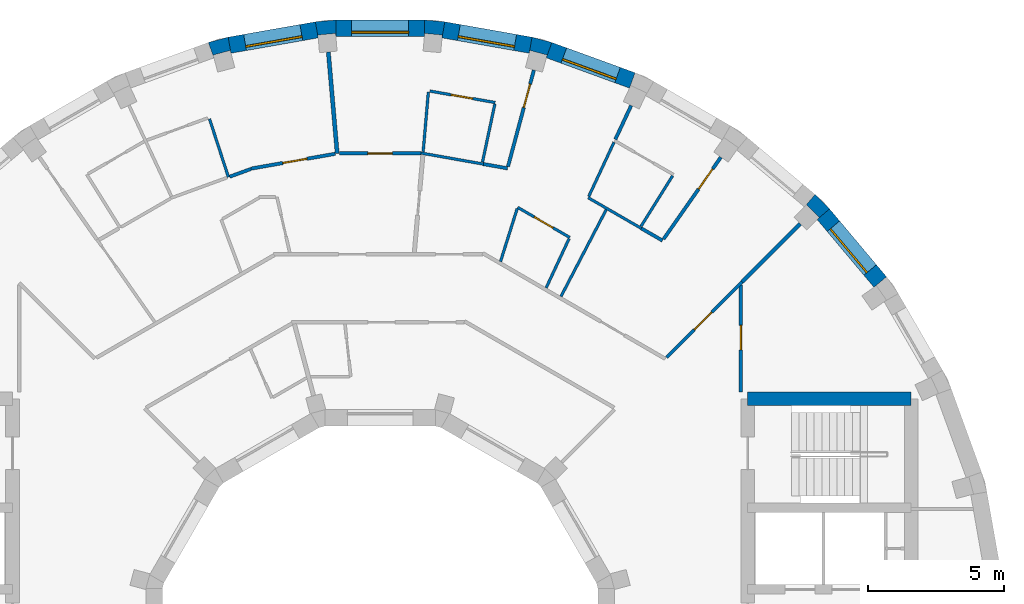
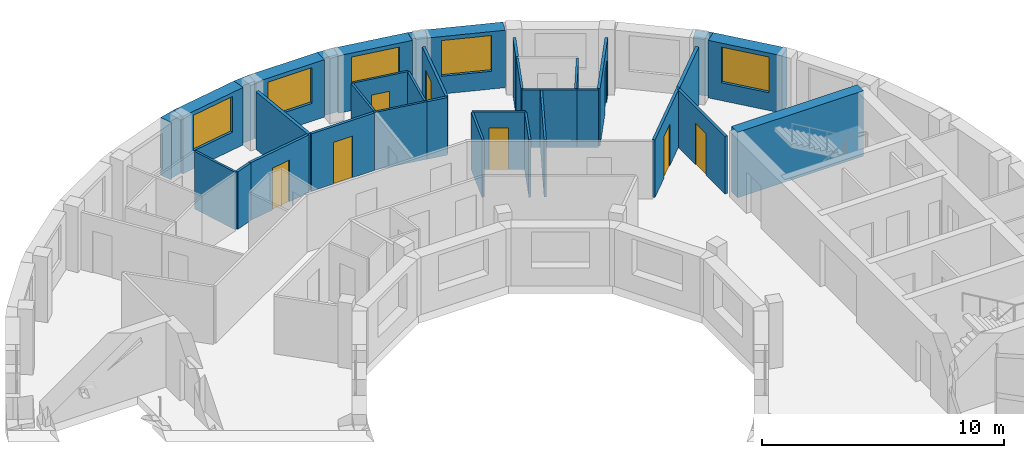
# One storey, part 10 of 12: 35 walls, 8 doors, 5 windows, 13 openings.
"""IFC4 building model written with IfcOpenShell, lengths in metres."""

from ifc_helpers import new_model, si_unit, direction, frame, frame_2d, origin, place, context, subcontext, project, spatial, polyline, rectangle, outline, extrude, material, layer, layer_set, type_object, element, fill, save


model = new_model("IFC4")

# Units and contexts
model_context = context("Model", 3, precision=1e-05, world=origin(), true_north=direction((0.0, 1.0)))
body_context = subcontext(model_context, "Body", "Model", "MODEL_VIEW")
ifc_project = project(units=[si_unit("LENGTHUNIT", "METRE"), si_unit("AREAUNIT", "SQUARE_METRE"), si_unit("VOLUMEUNIT", "CUBIC_METRE"), si_unit("PLANEANGLEUNIT", "RADIAN"), si_unit("MASSUNIT", "GRAM", prefix="KILO")], contexts=[model_context])

# Site, building, storey
site_placement = place(None, origin())
site = spatial("IfcSite", under=ifc_project, at=site_placement, CompositionType="ELEMENT")
building_placement = place(site_placement, origin())
building = spatial("IfcBuilding", under=site, at=building_placement, Name="Saqina Gate Tower", CompositionType="ELEMENT")
storey_placement = place(building_placement, frame((0.0, 0.0, 266.0)))
storey = spatial("IfcBuildingStorey", under=building, at=storey_placement, Name="L76", CompositionType="ELEMENT", Elevation=266.0)

# Walls
ifc_material_1 = material(Name="Brick masonry (buff)", Category="masonry")
wall_type_1 = type_object("IfcWallType", Name="BRICK PIER COPING BUFF", PredefinedType="SOLIDWALL", material=ifc_material_1)
wall_1_placement = place(storey_placement, origin())
element("IfcWall", 1, at=wall_1_placement, inside=storey, type_object=wall_type_1, Name="Pier cap L76 column 5", PredefinedType="SOLIDWALL", context=body_context, shape_type="SweptSolid", body=[
    extrude(outline(polyline([(15.973388671875, 16.5068359375), (15.587646484375, 16.04736328125), (15.662353515625, 16.1220703125), (16.1220703125, 15.662353515625), (16.04736328125, 15.587646484375), (16.5068359375, 15.973388671875), (15.973388671875, 16.5068359375)])), origin(), (0.0, 0.0, 1.0), 2.89990234375),
])
wall_2_placement = place(storey_placement, origin())
element("IfcWall", 2, at=wall_2_placement, inside=storey, type_object=wall_type_1, Name="Pier cap L76 column 8", PredefinedType="SOLIDWALL", context=body_context, shape_type="SweptSolid", body=[
    extrude(outline(polyline([(5.579833984375, 22.281982421875), (5.4755859375, 21.691162109375), (5.5029296875, 21.793212890625), (6.130859375, 21.625), (6.103515625, 21.52294921875), (6.30859375, 22.0869140625), (5.579833984375, 22.281982421875)])), origin(), (0.0, 0.0, 1.0), 2.89990234375),
])
wall_3_placement = place(storey_placement, origin())
element("IfcWall", 3, at=wall_3_placement, inside=storey, type_object=wall_type_1, Name="Pier cap L76 column 9", PredefinedType="SOLIDWALL", context=body_context, shape_type="SweptSolid", body=[
    extrude(outline(polyline([(2.377685546875, 22.8466796875), (1.625732421875, 22.91259765625), (1.625732421875, 22.3125), (1.635009765625, 22.417724609375), (2.28271484375, 22.361083984375), (2.2734375, 22.255859375), (2.377685546875, 22.8466796875)])), origin(), (0.0, 0.0, 1.0), 2.89990234375),
])
wall_4_placement = place(storey_placement, origin())
element("IfcWall", 4, at=wall_4_placement, inside=storey, type_object=wall_type_1, Name="Pier cap L76 column 10", PredefinedType="SOLIDWALL", context=body_context, shape_type="SweptSolid", body=[
    extrude(outline(polyline([(-1.625732421875, 22.91259765625), (-2.377685546875, 22.8466796875), (-2.2734375, 22.255859375), (-2.28271484375, 22.361083984375), (-1.635009765625, 22.417724609375), (-1.625732421875, 22.3125), (-1.625732421875, 22.91259765625)])), origin(), (0.0, 0.0, 1.0), 2.89990234375),
])
wall_5_placement = place(storey_placement, origin())
element("IfcWall", 5, at=wall_5_placement, inside=storey, type_object=wall_type_1, Name="Pier cap L76 column 11", PredefinedType="SOLIDWALL", context=body_context, shape_type="SweptSolid", body=[
    extrude(outline(polyline([(-6.30859375, 22.0869140625), (-6.103515625, 21.52294921875), (-6.130859375, 21.625), (-5.5029296875, 21.793212890625), (-5.4755859375, 21.691162109375), (-5.579833984375, 22.281982421875), (-6.30859375, 22.0869140625)])), origin(), (0.0, 0.0, 1.0), 2.89990234375),
])

# Wall, opening, window
ifc_material_2 = material(Name="Brick masonry (buff)", Category="masonry")
ifc_layer_1 = layer(ifc_material_2, 0.60009765625)
ifc_layer_set_1 = layer_set([ifc_layer_1], Name="FW-BRICK-BUFF")
wall_type_2 = type_object("IfcWallType", Name="FW-BRICK-BUFF", PredefinedType="SOLIDWALL", material=ifc_layer_set_1)
wall_6_placement = place(storey_placement, frame((18.3671875, 13.28955078125, 0.0), z_axis=(0.0, 0.0, 1.0), x_axis=(-0.64277291405, 0.766056773982, 0.0)))
wall_6 = element("IfcWall", 6, at=wall_6_placement, inside=storey, type_object=wall_type_2, Name="Facade wall L76 facet 4", PredefinedType="SOLIDWALL", context=body_context, shape_type="SweptSolid", body=[
    extrude(rectangle(XDim=3.251708984375, YDim=0.60009765625, at=frame_2d((1.6259765625, 0.0))), origin(), (0.0, 0.0, 1.0), 2.89990234375),
])
opening_1_placement = place(wall_6_placement, frame((0.57568359375, 0.0, 0.89990234375)))
opening_1 = element("IfcOpeningElement", 7, at=opening_1_placement, cuts=wall_6, Name="Opening G22-W02", PredefinedType="OPENING", context=body_context, shape_type="SweptSolid", body=[
    extrude(rectangle(XDim=2.10009765625, YDim=1.800048828125, at=frame_2d((1.050048828125, 0.89990234375))), frame((0.0, 0.31201171875, 0.0), z_axis=(0.0, -1.0, 0.0), x_axis=(1.0, 0.0, 0.0)), (0.0, 0.0, 1.0), 0.6240234375),
])
ifc_material_3 = material(Name="Aluminium glazing", Category="aluminium")
window_type = type_object("IfcWindowType", Name="WN-D", PartitioningType="SINGLE_PANEL", PredefinedType="WINDOW", material=ifc_material_3)
window_1_placement = place(opening_1_placement, origin())
window_1 = element("IfcWindow", 8, at=window_1_placement, inside=storey, type_object=window_type, Name="Window L76 facet 4", OverallHeight=1.800048828125, OverallWidth=2.10009765625, PartitioningType="SINGLE_PANEL", PredefinedType="WINDOW", context=body_context, shape_type="SweptSolid", body=[
    extrude(rectangle(XDim=2.10009765625, YDim=1.800048828125, at=frame_2d((1.050048828125, 0.89990234375))), frame((0.0, 0.179931640625, 0.0), z_axis=(0.0, -1.0, 0.0), x_axis=(1.0, 0.0, 0.0)), (0.0, 0.0, 1.0), 0.06005859375),
])
fill(opening_1, window_1)

wall_7_placement = place(storey_placement, frame((9.26171875, 20.692626953125, 0.0), z_axis=(0.0, 0.0, 1.0), x_axis=(-0.939679383794, 0.342056509473, 0.0)))
wall_7 = element("IfcWall", 9, at=wall_7_placement, inside=storey, type_object=wall_type_2, Name="Facade wall L76 facet 7", PredefinedType="SOLIDWALL", context=body_context, shape_type="SweptSolid", body=[
    extrude(rectangle(XDim=3.251708984375, YDim=0.60009765625, at=frame_2d((1.6259765625, 0.0))), origin(), (0.0, 0.0, 1.0), 2.89990234375),
])
opening_2_placement = place(wall_7_placement, frame((0.57568359375, 0.0, 0.89990234375)))
opening_2 = element("IfcOpeningElement", 10, at=opening_2_placement, cuts=wall_7, Name="Opening G22-W05", PredefinedType="OPENING", context=body_context, shape_type="SweptSolid", body=[
    extrude(rectangle(XDim=2.10009765625, YDim=1.800048828125, at=frame_2d((1.050048828125, 0.89990234375))), frame((0.0, 0.31201171875, 0.0), z_axis=(0.0, -1.0, 0.0), x_axis=(1.0, 0.0, 0.0)), (0.0, 0.0, 1.0), 0.6240234375),
])
window_2_placement = place(opening_2_placement, origin())
window_2 = element("IfcWindow", 11, at=window_2_placement, inside=storey, type_object=window_type, Name="Window L76 facet 7", OverallHeight=1.800048828125, OverallWidth=2.10009765625, PartitioningType="SINGLE_PANEL", PredefinedType="WINDOW", context=body_context, shape_type="SweptSolid", body=[
    extrude(rectangle(XDim=2.10009765625, YDim=1.800048828125, at=frame_2d((1.050048828125, 0.89990234375))), frame((0.0, 0.179931640625, 0.0), z_axis=(0.0, -1.0, 0.0), x_axis=(1.0, 0.0, 0.0)), (0.0, 0.0, 1.0), 0.06005859375),
])
fill(opening_2, window_2)

wall_8_placement = place(storey_placement, frame((5.52783203125, 21.986572265625, 0.0), z_axis=(0.0, 0.0, 1.0), x_axis=(-0.984806225186, 0.173656842178, 0.0)))
wall_8 = element("IfcWall", 12, at=wall_8_placement, inside=storey, type_object=wall_type_2, Name="Facade wall L76 facet 8", PredefinedType="SOLIDWALL", context=body_context, shape_type="SweptSolid", body=[
    extrude(rectangle(XDim=3.251708984375, YDim=0.60009765625, at=frame_2d((1.6259765625, 0.0))), origin(), (0.0, 0.0, 1.0), 2.89990234375),
])
opening_3_placement = place(wall_8_placement, frame((0.57568359375, 0.0, 0.89990234375)))
opening_3 = element("IfcOpeningElement", 13, at=opening_3_placement, cuts=wall_8, Name="Opening G22-W06", PredefinedType="OPENING", context=body_context, shape_type="SweptSolid", body=[
    extrude(rectangle(XDim=2.10009765625, YDim=1.800048828125, at=frame_2d((1.050048828125, 0.89990234375))), frame((0.0, 0.31201171875, 0.0), z_axis=(0.0, -1.0, 0.0), x_axis=(1.0, 0.0, 0.0)), (0.0, 0.0, 1.0), 0.6240234375),
])
window_3_placement = place(opening_3_placement, origin())
window_3 = element("IfcWindow", 14, at=window_3_placement, inside=storey, type_object=window_type, Name="Window L76 facet 8", OverallHeight=1.800048828125, OverallWidth=2.10009765625, PartitioningType="SINGLE_PANEL", PredefinedType="WINDOW", context=body_context, shape_type="SweptSolid", body=[
    extrude(rectangle(XDim=2.10009765625, YDim=1.800048828125, at=frame_2d((1.050048828125, 0.89990234375))), frame((0.0, 0.179931640625, 0.0), z_axis=(0.0, -1.0, 0.0), x_axis=(1.0, 0.0, 0.0)), (0.0, 0.0, 1.0), 0.06005859375),
])
fill(opening_3, window_3)

wall_9_placement = place(storey_placement, frame((1.625732421875, 22.612548828125, 0.0), z_axis=(0.0, 0.0, 1.0), x_axis=(-1.0, 0.0, 0.0)))
wall_9 = element("IfcWall", 15, at=wall_9_placement, inside=storey, type_object=wall_type_2, Name="Facade wall L76 facet 9", PredefinedType="SOLIDWALL", context=body_context, shape_type="SweptSolid", body=[
    extrude(rectangle(XDim=3.25146484375, YDim=0.60009765625, at=frame_2d((1.625732421875, 0.0))), origin(), (0.0, 0.0, 1.0), 2.89990234375),
])
opening_4_placement = place(wall_9_placement, frame((0.57568359375, 0.0, 0.89990234375)))
opening_4 = element("IfcOpeningElement", 16, at=opening_4_placement, cuts=wall_9, Name="Opening G22-W07", PredefinedType="OPENING", context=body_context, shape_type="SweptSolid", body=[
    extrude(rectangle(XDim=2.10009765625, YDim=1.800048828125, at=frame_2d((1.050048828125, 0.89990234375))), frame((0.0, 0.31201171875, 0.0), z_axis=(0.0, -1.0, 0.0), x_axis=(1.0, 0.0, 0.0)), (0.0, 0.0, 1.0), 0.6240234375),
])
window_4_placement = place(opening_4_placement, origin())
window_4 = element("IfcWindow", 17, at=window_4_placement, inside=storey, type_object=window_type, Name="Window L76 facet 9", OverallHeight=1.800048828125, OverallWidth=2.10009765625, PartitioningType="SINGLE_PANEL", PredefinedType="WINDOW", context=body_context, shape_type="SweptSolid", body=[
    extrude(rectangle(XDim=2.10009765625, YDim=1.800048828125, at=frame_2d((1.050048828125, 0.89990234375))), frame((0.0, 0.179931640625, 0.0), z_axis=(0.0, -1.0, 0.0), x_axis=(1.0, 0.0, 0.0)), (0.0, 0.0, 1.0), 0.06005859375),
])
fill(opening_4, window_4)

wall_10_placement = place(storey_placement, frame((-2.325439453125, 22.55126953125, 0.0), z_axis=(0.0, 0.0, 1.0), x_axis=(-0.984806225186, -0.173656842178, 0.0)))
wall_10 = element("IfcWall", 18, at=wall_10_placement, inside=storey, type_object=wall_type_2, Name="Facade wall L76 facet 10", PredefinedType="SOLIDWALL", context=body_context, shape_type="SweptSolid", body=[
    extrude(rectangle(XDim=3.251708984375, YDim=0.60009765625, at=frame_2d((1.6259765625, 0.0))), origin(), (0.0, 0.0, 1.0), 2.89990234375),
])
opening_5_placement = place(wall_10_placement, frame((0.57568359375, 0.0, 0.89990234375)))
opening_5 = element("IfcOpeningElement", 19, at=opening_5_placement, cuts=wall_10, Name="Opening G22-W08", PredefinedType="OPENING", context=body_context, shape_type="SweptSolid", body=[
    extrude(rectangle(XDim=2.10009765625, YDim=1.800048828125, at=frame_2d((1.050048828125, 0.89990234375))), frame((0.0, 0.31201171875, 0.0), z_axis=(0.0, -1.0, 0.0), x_axis=(1.0, 0.0, 0.0)), (0.0, 0.0, 1.0), 0.6240234375),
])
window_5_placement = place(opening_5_placement, origin())
window_5 = element("IfcWindow", 20, at=window_5_placement, inside=storey, type_object=window_type, Name="Window L76 facet 10", OverallHeight=1.800048828125, OverallWidth=2.10009765625, PartitioningType="SINGLE_PANEL", PredefinedType="WINDOW", context=body_context, shape_type="SweptSolid", body=[
    extrude(rectangle(XDim=2.10009765625, YDim=1.800048828125, at=frame_2d((1.050048828125, 0.89990234375))), frame((0.0, 0.179931640625, 0.0), z_axis=(0.0, -1.0, 0.0), x_axis=(1.0, 0.0, 0.0)), (0.0, 0.0, 1.0), 0.06005859375),
])
fill(opening_5, window_5)

# Wall
ifc_material_4 = material(Name="Gypsum board on steel studs, 100 mm", Category="steel")
ifc_layer_2 = layer(ifc_material_4, 0.10009765625)
ifc_layer_set_2 = layer_set([ifc_layer_2], Name="PARTITION 100")
wall_type_3 = type_object("IfcWallType", Name="PARTITION 100", PredefinedType="PARTITIONING", material=ifc_layer_set_2)
wall_11_placement = place(storey_placement, frame((-6.264892578125, 19.280517578125, 0.0), z_axis=(0.0, 0.0, 1.0), x_axis=(0.308892186689, -0.951097059717, 0.0)))
element("IfcWall", 21, at=wall_11_placement, inside=storey, type_object=wall_type_3, Name="PARTITION PW3-07", PredefinedType="PARTITIONING", context=body_context, shape_type="SweptSolid", body=[
    extrude(rectangle(XDim=2.24951171875, YDim=0.10009765625, at=frame_2d((1.124755859375, 0.0))), origin(), (0.0, 0.0, 1.0), 2.89990234375),
])

# Wall, opening, door
wall_12_placement = place(storey_placement, frame((5.05078125, 16.031982421875, 0.0), z_axis=(0.0, 0.0, 1.0), x_axis=(0.86609715799, -0.49987569747, 0.0)))
wall_12 = element("IfcWall", 22, at=wall_12_placement, inside=storey, type_object=wall_type_3, Name="PARTITION PW3-19", PredefinedType="PARTITIONING", context=body_context, shape_type="SweptSolid", body=[
    extrude(rectangle(XDim=2.20654296875, YDim=0.10009765625, at=frame_2d((1.103271484375, 0.0))), origin(), (0.0, 0.0, 1.0), 2.89990234375),
])
opening_6_placement = place(wall_12_placement, frame((0.702392578125, 0.0, 0.0)))
opening_6 = element("IfcOpeningElement", 23, at=opening_6_placement, cuts=wall_12, Name="Opening G22-D06", PredefinedType="OPENING", context=body_context, shape_type="SweptSolid", body=[
    extrude(rectangle(XDim=0.800048828125, YDim=2.10009765625, at=frame_2d((0.39990234375, 1.050048828125))), frame((0.0, 0.06201171875, 0.0), z_axis=(0.0, -1.0, 0.0), x_axis=(1.0, 0.0, 0.0)), (0.0, 0.0, 1.0), 0.1240234375),
])
ifc_material_5 = material(Name="Timber door leaf, 800 mm", Category="wood")
door_type_1 = type_object("IfcDoorType", Name="DOOR 800 TIMBER", OperationType="SINGLE_SWING_LEFT", PredefinedType="DOOR", material=ifc_material_5)
door_1_placement = place(opening_6_placement, origin())
door_1 = element("IfcDoor", 24, at=door_1_placement, inside=storey, type_object=door_type_1, Name="DOOR G22-D06", OperationType="SINGLE_SWING_LEFT", OverallHeight=2.10009765625, OverallWidth=0.800048828125, PredefinedType="DOOR", context=body_context, shape_type="SweptSolid", body=[
    extrude(rectangle(XDim=0.800048828125, YDim=2.10009765625, at=frame_2d((0.39990234375, 1.050048828125))), frame((0.0, 0.02490234375, 0.0), z_axis=(0.0, -1.0, 0.0), x_axis=(1.0, 0.0, 0.0)), (0.0, 0.0, 1.0), 0.050048828125),
])
fill(opening_6, door_1)

# Walls
wall_13_placement = place(storey_placement, frame((7.64208984375, 16.386474609375, 0.0), z_axis=(0.0, 0.0, 1.0), x_axis=(0.86603400694, -0.499985098601, 0.0)))
element("IfcWall", 25, at=wall_13_placement, inside=storey, type_object=wall_type_3, Name="PARTITION PW3-20", PredefinedType="PARTITIONING", context=body_context, shape_type="SweptSolid", body=[
    extrude(rectangle(XDim=2.2529296875, YDim=0.10009765625, at=frame_2d((1.12646484375, 0.0))), origin(), (0.0, 0.0, 1.0), 2.89990234375),
])
wall_14_placement = place(storey_placement, frame((1.5, 18.02734375, 0.0), z_axis=(0.0, 0.0, 1.0), x_axis=(0.984634591381, -0.174627378886, 0.0)))
element("IfcWall", 26, at=wall_14_placement, inside=storey, type_object=wall_type_3, Name="PARTITION PW3-22", PredefinedType="PARTITIONING", context=body_context, shape_type="SweptSolid", body=[
    extrude(rectangle(XDim=2.33203125, YDim=0.10009765625, at=frame_2d((1.166015625, 0.0))), origin(), (0.0, 0.0, 1.0), 2.89990234375),
])

# Wall, opening, door
wall_15_placement = place(storey_placement, frame((1.8271484375, 20.30322265625, 0.0), z_axis=(0.0, 0.0, 1.0), x_axis=(0.984857159035, -0.173367748724, 0.0)))
wall_15 = element("IfcWall", 27, at=wall_15_placement, inside=storey, type_object=wall_type_3, Name="PARTITION PW3-25", PredefinedType="PARTITIONING", context=body_context, shape_type="SweptSolid", body=[
    extrude(rectangle(XDim=2.434814453125, YDim=0.10009765625, at=frame_2d((1.21728515625, 0.0))), origin(), (0.0, 0.0, 1.0), 2.89990234375),
])
opening_7_placement = place(wall_15_placement, frame((0.791748046875, 0.0, 0.0)))
opening_7 = element("IfcOpeningElement", 28, at=opening_7_placement, cuts=wall_15, Name="Opening G22-D10", PredefinedType="OPENING", context=body_context, shape_type="SweptSolid", body=[
    extrude(rectangle(XDim=0.800048828125, YDim=2.10009765625, at=frame_2d((0.39990234375, 1.050048828125))), frame((0.0, 0.06201171875, 0.0), z_axis=(0.0, -1.0, 0.0), x_axis=(1.0, 0.0, 0.0)), (0.0, 0.0, 1.0), 0.1240234375),
])
door_2_placement = place(opening_7_placement, origin())
door_2 = element("IfcDoor", 29, at=door_2_placement, inside=storey, type_object=door_type_1, Name="DOOR G22-D10", OperationType="SINGLE_SWING_LEFT", OverallHeight=2.10009765625, OverallWidth=0.800048828125, PredefinedType="DOOR", context=body_context, shape_type="SweptSolid", body=[
    extrude(rectangle(XDim=0.800048828125, YDim=2.10009765625, at=frame_2d((0.39990234375, 1.050048828125))), frame((0.0, 0.02490234375, 0.0), z_axis=(0.0, -1.0, 0.0), x_axis=(1.0, 0.0, 0.0)), (0.0, 0.0, 1.0), 0.050048828125),
])
fill(opening_7, door_2)

# Walls
wall_16_placement = place(storey_placement, frame((9.5830078125, 15.337890625, 0.0), z_axis=(0.0, 0.0, 1.0), x_axis=(0.529988916938, 0.848004568339, 0.0)))
element("IfcWall", 30, at=wall_16_placement, inside=storey, type_object=wall_type_3, Name="PARTITION PW3-40", PredefinedType="PARTITIONING", context=body_context, shape_type="SweptSolid", body=[
    extrude(rectangle(XDim=2.189453125, YDim=0.10009765625, at=frame_2d((1.0947265625, 0.0))), origin(), (0.0, 0.0, 1.0), 2.89990234375),
])
wall_17_placement = place(storey_placement, frame((6.643798828125, 12.761474609375, 0.0), z_axis=(0.0, 0.0, 1.0), x_axis=(0.462108219217, 0.886823541485, 0.0)))
element("IfcWall", 31, at=wall_17_placement, inside=storey, type_object=wall_type_3, Name="PARTITION PW3-44", PredefinedType="PARTITIONING", context=body_context, shape_type="SweptSolid", body=[
    extrude(rectangle(XDim=3.591064453125, YDim=0.10009765625, at=frame_2d((1.79541015625, 0.0))), origin(), (0.0, 0.0, 1.0), 2.89990234375),
])
wall_18_placement = place(storey_placement, frame((6.09765625, 13.075439453125, 0.0), z_axis=(0.0, 0.0, 1.0), x_axis=(0.422624209162, 0.906305013685, 0.0)))
element("IfcWall", 32, at=wall_18_placement, inside=storey, type_object=wall_type_3, Name="PARTITION PW3-45", PredefinedType="PARTITIONING", context=body_context, shape_type="SweptSolid", body=[
    extrude(rectangle(XDim=1.995361328125, YDim=0.10009765625, at=frame_2d((0.99755859375, 0.0))), origin(), (0.0, 0.0, 1.0), 2.89990234375),
])
wall_19_placement = place(storey_placement, frame((7.662109375, 16.432373046875, 0.0), z_axis=(0.0, 0.0, 1.0), x_axis=(0.422642091252, 0.906296674772, 0.0)))
element("IfcWall", 33, at=wall_19_placement, inside=storey, type_object=wall_type_3, Name="PARTITION PW3-46", PredefinedType="PARTITIONING", context=body_context, shape_type="SweptSolid", body=[
    extrude(rectangle(XDim=2.19677734375, YDim=0.10009765625, at=frame_2d((1.098388671875, 0.0))), origin(), (0.0, 0.0, 1.0), 2.89990234375),
])
wall_20_placement = place(storey_placement, frame((4.421875, 14.04150390625, 0.0), z_axis=(0.0, 0.0, 1.0), x_axis=(0.300390936016, 0.953816169689, 0.0)))
element("IfcWall", 34, at=wall_20_placement, inside=storey, type_object=wall_type_3, Name="PARTITION PW3-48", PredefinedType="PARTITIONING", context=body_context, shape_type="SweptSolid", body=[
    extrude(rectangle(XDim=2.035888671875, YDim=0.10009765625, at=frame_2d((1.01806640625, 0.0))), origin(), (0.0, 0.0, 1.0), 2.89990234375),
])
wall_21_placement = place(storey_placement, frame((3.760009765625, 17.691162109375, 0.0), z_axis=(0.0, 0.0, 1.0), x_axis=(0.207691908253, 0.978194291154, 0.0)))
element("IfcWall", 35, at=wall_21_placement, inside=storey, type_object=wall_type_3, Name="PARTITION PW3-50", PredefinedType="PARTITIONING", context=body_context, shape_type="SweptSolid", body=[
    extrude(rectangle(XDim=2.1875, YDim=0.10009765625, at=frame_2d((1.09375, 0.0))), origin(), (0.0, 0.0, 1.0), 2.89990234375),
])
wall_22_placement = place(storey_placement, frame((1.581298828125, 18.07421875, 0.0), z_axis=(0.0, 0.0, 1.0), x_axis=(0.086816690558, 0.996224303177, 0.0)))
element("IfcWall", 36, at=wall_22_placement, inside=storey, type_object=wall_type_3, Name="PARTITION PW3-53", PredefinedType="PARTITIONING", context=body_context, shape_type="SweptSolid", body=[
    extrude(rectangle(XDim=2.1962890625, YDim=0.10009765625, at=frame_2d((1.09814453125, 0.0))), origin(), (0.0, 0.0, 1.0), 2.89990234375),
])
ifc_material_6 = material(Name="Gypsum board on steel studs, 125 mm, fire rated", Category="steel")
ifc_layer_3 = layer(ifc_material_6, 0.125)
ifc_layer_set_3 = layer_set([ifc_layer_3], Name="PARTITION EI 30 125")
wall_type_4 = type_object("IfcWallType", Name="PARTITION EI 30 125", PredefinedType="PARTITIONING", material=ifc_layer_set_3)
wall_23_placement = place(storey_placement, frame((9.59326171875, 15.260009765625, 0.0), z_axis=(0.0, 0.0, 1.0), x_axis=(0.866072174983, -0.499918981156, 0.0)))
element("IfcWall", 37, at=wall_23_placement, inside=storey, type_object=wall_type_4, Name="PARTITION PW1-14", PredefinedType="PARTITIONING", context=body_context, shape_type="SweptSolid", body=[
    extrude(rectangle(XDim=0.896240234375, YDim=0.125, at=frame_2d((0.4482421875, 0.0))), origin(), (0.0, 0.0, 1.0), 2.89990234375),
])
wall_24_placement = place(storey_placement, frame((3.796142578125, 17.621337890625, 0.0), z_axis=(0.0, 0.0, 1.0), x_axis=(0.984648940512, -0.174546452121, 0.0)))
element("IfcWall", 38, at=wall_24_placement, inside=storey, type_object=wall_type_4, Name="PARTITION PW1-15", PredefinedType="PARTITIONING", context=body_context, shape_type="SweptSolid", body=[
    extrude(rectangle(XDim=0.896484375, YDim=0.125, at=frame_2d((0.4482421875, 0.0))), origin(), (0.0, 0.0, 1.0), 2.89990234375),
])

# Wall, opening, door
wall_25_placement = place(storey_placement, frame((-1.5, 18.011962890625, 0.0), z_axis=(0.0, 0.0, 1.0), x_axis=(1.0, 0.0, 0.0)))
wall_25 = element("IfcWall", 39, at=wall_25_placement, inside=storey, type_object=wall_type_4, Name="PARTITION PW1-21", PredefinedType="PARTITIONING", context=body_context, shape_type="SweptSolid", body=[
    extrude(rectangle(XDim=3.0, YDim=0.125, at=frame_2d((1.5, 0.0))), origin(), (0.0, 0.0, 1.0), 2.89990234375),
])
opening_8_placement = place(wall_25_placement, frame((1.050048828125, 0.0, 0.0)))
opening_8 = element("IfcOpeningElement", 40, at=opening_8_placement, cuts=wall_25, Name="Opening G22-D13", PredefinedType="OPENING", context=body_context, shape_type="SweptSolid", body=[
    extrude(rectangle(XDim=0.89990234375, YDim=2.10009765625, at=frame_2d((0.449951171875, 1.050048828125))), frame((0.0, 0.074462890625, 0.0), z_axis=(0.0, -1.0, 0.0), x_axis=(1.0, 0.0, 0.0)), (0.0, 0.0, 1.0), 0.14892578125),
])
ifc_material_7 = material(Name="Fire door leaf EI 30, 900 mm")
door_type_2 = type_object("IfcDoorType", Name="DOOR 900 EI 30", OperationType="SINGLE_SWING_LEFT", PredefinedType="DOOR", material=ifc_material_7)
door_3_placement = place(opening_8_placement, frame((0.89990234375, 0.0, 0.0), z_axis=(0.0, 0.0, 1.0), x_axis=(-1.0, 0.0, 0.0)))
door_3 = element("IfcDoor", 41, at=door_3_placement, inside=storey, type_object=door_type_2, Name="DOOR G22-D13", OperationType="SINGLE_SWING_LEFT", OverallHeight=2.10009765625, OverallWidth=0.89990234375, PredefinedType="DOOR", context=body_context, shape_type="SweptSolid", body=[
    extrude(rectangle(XDim=0.89990234375, YDim=2.10009765625, at=frame_2d((0.449951171875, 1.050048828125))), frame((0.0, 0.02490234375, 0.0), z_axis=(0.0, -1.0, 0.0), x_axis=(1.0, 0.0, 0.0)), (0.0, 0.0, 1.0), 0.050048828125),
])
fill(opening_8, door_3)

wall_26_placement = place(storey_placement, frame((-4.742431640625, 17.4541015625, 0.0), z_axis=(0.0, 0.0, 1.0), x_axis=(0.984857040105, 0.173368424332, 0.0)))
wall_26 = element("IfcWall", 42, at=wall_26_placement, inside=storey, type_object=wall_type_4, Name="PARTITION PW1-23", PredefinedType="PARTITIONING", context=body_context, shape_type="SweptSolid", body=[
    extrude(rectangle(XDim=3.140380859375, YDim=0.125, at=frame_2d((1.5703125, 0.0))), origin(), (0.0, 0.0, 1.0), 2.89990234375),
])
opening_9_placement = place(wall_26_placement, frame((1.189453125, 0.0, 0.0)))
opening_9 = element("IfcOpeningElement", 43, at=opening_9_placement, cuts=wall_26, Name="Opening G22-D16", PredefinedType="OPENING", context=body_context, shape_type="SweptSolid", body=[
    extrude(rectangle(XDim=0.89990234375, YDim=2.10009765625, at=frame_2d((0.449951171875, 1.050048828125))), frame((0.0, 0.074462890625, 0.0), z_axis=(0.0, -1.0, 0.0), x_axis=(1.0, 0.0, 0.0)), (0.0, 0.0, 1.0), 0.14892578125),
])
door_4_placement = place(opening_9_placement, frame((0.89990234375, 0.0, 0.0), z_axis=(0.0, 0.0, 1.0), x_axis=(-1.0, 0.0, 0.0)))
door_4 = element("IfcDoor", 44, at=door_4_placement, inside=storey, type_object=door_type_2, Name="DOOR G22-D16", OperationType="SINGLE_SWING_LEFT", OverallHeight=2.10009765625, OverallWidth=0.89990234375, PredefinedType="DOOR", context=body_context, shape_type="SweptSolid", body=[
    extrude(rectangle(XDim=0.89990234375, YDim=2.10009765625, at=frame_2d((0.449951171875, 1.050048828125))), frame((0.0, 0.02490234375, 0.0), z_axis=(0.0, -1.0, 0.0), x_axis=(1.0, 0.0, 0.0)), (0.0, 0.0, 1.0), 0.050048828125),
])
fill(opening_9, door_4)

# Wall
wall_27_placement = place(storey_placement, frame((-5.52294921875, 17.158203125, 0.0), z_axis=(0.0, 0.0, 1.0), x_axis=(0.939605379144, 0.342259742714, 0.0)))
element("IfcWall", 45, at=wall_27_placement, inside=storey, type_object=wall_type_4, Name="PARTITION PW1-24", PredefinedType="PARTITIONING", context=body_context, shape_type="SweptSolid", body=[
    extrude(rectangle(XDim=0.83447265625, YDim=0.125, at=frame_2d((0.417236328125, 0.0))), origin(), (0.0, 0.0, 1.0), 2.89990234375),
])

# Wall, opening, door
wall_28_placement = place(storey_placement, frame((10.520263671875, 10.520263671875, 0.0), z_axis=(0.0, 0.0, 1.0), x_axis=(0.707106781187, 0.707106781187, 0.0)))
wall_28 = element("IfcWall", 46, at=wall_28_placement, inside=storey, type_object=wall_type_4, Name="PARTITION PW1-33", PredefinedType="PARTITIONING", context=body_context, shape_type="SweptSolid", body=[
    extrude(rectangle(XDim=3.9228515625, YDim=0.125, at=frame_2d((1.96142578125, 0.0))), origin(), (0.0, 0.0, 1.0), 2.89990234375),
])
opening_10_placement = place(wall_28_placement, frame((1.448974609375, 0.0, 0.0)))
opening_10 = element("IfcOpeningElement", 47, at=opening_10_placement, cuts=wall_28, Name="Opening G22-D02", PredefinedType="OPENING", context=body_context, shape_type="SweptSolid", body=[
    extrude(rectangle(XDim=0.89990234375, YDim=2.10009765625, at=frame_2d((0.449951171875, 1.050048828125))), frame((0.0, 0.074462890625, 0.0), z_axis=(0.0, -1.0, 0.0), x_axis=(1.0, 0.0, 0.0)), (0.0, 0.0, 1.0), 0.14892578125),
])
door_5_placement = place(opening_10_placement, origin())
door_5 = element("IfcDoor", 48, at=door_5_placement, inside=storey, type_object=door_type_2, Name="DOOR G22-D02", OperationType="SINGLE_SWING_LEFT", OverallHeight=2.10009765625, OverallWidth=0.89990234375, PredefinedType="DOOR", context=body_context, shape_type="SweptSolid", body=[
    extrude(rectangle(XDim=0.89990234375, YDim=2.10009765625, at=frame_2d((0.449951171875, 1.050048828125))), frame((0.0, 0.02490234375, 0.0), z_axis=(0.0, -1.0, 0.0), x_axis=(1.0, 0.0, 0.0)), (0.0, 0.0, 1.0), 0.050048828125),
])
fill(opening_10, door_5)

wall_29_placement = place(storey_placement, frame((10.406982421875, 14.862060546875, 0.0), z_axis=(0.0, 0.0, 1.0), x_axis=(0.573265962511, 0.81936935275, 0.0)))
wall_29 = element("IfcWall", 49, at=wall_29_placement, inside=storey, type_object=wall_type_4, Name="PARTITION PW1-35", PredefinedType="PARTITIONING", context=body_context, shape_type="SweptSolid", body=[
    extrude(rectangle(XDim=3.67138671875, YDim=0.125, at=frame_2d((1.835693359375, 0.0))), origin(), (0.0, 0.0, 1.0), 2.89990234375),
])
opening_11_placement = place(wall_29_placement, frame((2.24560546875, 0.0, 0.0)))
opening_11 = element("IfcOpeningElement", 50, at=opening_11_placement, cuts=wall_29, Name="Opening G22-D04", PredefinedType="OPENING", context=body_context, shape_type="SweptSolid", body=[
    extrude(rectangle(XDim=0.89990234375, YDim=2.10009765625, at=frame_2d((0.449951171875, 1.050048828125))), frame((0.0, 0.074462890625, 0.0), z_axis=(0.0, -1.0, 0.0), x_axis=(1.0, 0.0, 0.0)), (0.0, 0.0, 1.0), 0.14892578125),
])
door_6_placement = place(opening_11_placement, frame((0.89990234375, 0.0, 0.0), z_axis=(0.0, 0.0, 1.0), x_axis=(-1.0, 0.0, 0.0)))
door_6 = element("IfcDoor", 51, at=door_6_placement, inside=storey, type_object=door_type_2, Name="DOOR G22-D04", OperationType="SINGLE_SWING_LEFT", OverallHeight=2.10009765625, OverallWidth=0.89990234375, PredefinedType="DOOR", context=body_context, shape_type="SweptSolid", body=[
    extrude(rectangle(XDim=0.89990234375, YDim=2.10009765625, at=frame_2d((0.449951171875, 1.050048828125))), frame((0.0, 0.02490234375, 0.0), z_axis=(0.0, -1.0, 0.0), x_axis=(1.0, 0.0, 0.0)), (0.0, 0.0, 1.0), 0.050048828125),
])
fill(opening_11, door_6)

# Wall
wall_30_placement = place(storey_placement, frame((8.6376953125, 18.525390625, 0.0), z_axis=(0.0, 0.0, 1.0), x_axis=(0.423546445352, 0.905874388991, 0.0)))
element("IfcWall", 52, at=wall_30_placement, inside=storey, type_object=wall_type_4, Name="PARTITION PW1-38", PredefinedType="PARTITIONING", context=body_context, shape_type="SweptSolid", body=[
    extrude(rectangle(XDim=1.374755859375, YDim=0.125, at=frame_2d((0.6875, 0.0))), origin(), (0.0, 0.0, 1.0), 2.89990234375),
])

# Wall, opening, door
wall_31_placement = place(storey_placement, frame((4.69580078125, 17.5263671875, 0.0), z_axis=(0.0, 0.0, 1.0), x_axis=(0.259074084297, 0.965857452653, 0.0)))
wall_31 = element("IfcWall", 53, at=wall_31_placement, inside=storey, type_object=wall_type_4, Name="PARTITION PW1-40", PredefinedType="PARTITIONING", context=body_context, shape_type="SweptSolid", body=[
    extrude(rectangle(XDim=3.67041015625, YDim=0.125, at=frame_2d((1.835205078125, 0.0))), origin(), (0.0, 0.0, 1.0), 2.89990234375),
])
opening_12_placement = place(wall_31_placement, frame((2.24462890625, 0.0, 0.0)))
opening_12 = element("IfcOpeningElement", 54, at=opening_12_placement, cuts=wall_31, Name="Opening G22-D07", PredefinedType="OPENING", context=body_context, shape_type="SweptSolid", body=[
    extrude(rectangle(XDim=0.89990234375, YDim=2.10009765625, at=frame_2d((0.449951171875, 1.050048828125))), frame((0.0, 0.074462890625, 0.0), z_axis=(0.0, -1.0, 0.0), x_axis=(1.0, 0.0, 0.0)), (0.0, 0.0, 1.0), 0.14892578125),
])
door_7_placement = place(opening_12_placement, frame((0.89990234375, 0.0, 0.0), z_axis=(0.0, 0.0, 1.0), x_axis=(-1.0, 0.0, 0.0)))
door_7 = element("IfcDoor", 55, at=door_7_placement, inside=storey, type_object=door_type_2, Name="DOOR G22-D07", OperationType="SINGLE_SWING_LEFT", OverallHeight=2.10009765625, OverallWidth=0.89990234375, PredefinedType="DOOR", context=body_context, shape_type="SweptSolid", body=[
    extrude(rectangle(XDim=0.89990234375, YDim=2.10009765625, at=frame_2d((0.449951171875, 1.050048828125))), frame((0.0, 0.02490234375, 0.0), z_axis=(0.0, -1.0, 0.0), x_axis=(1.0, 0.0, 0.0)), (0.0, 0.0, 1.0), 0.050048828125),
])
fill(opening_12, door_7)

wall_32_placement = place(storey_placement, frame((13.25, 9.25, 0.0), z_axis=(0.0, 0.0, 1.0), x_axis=(0.0, 1.0, 0.0)))
wall_32 = element("IfcWall", 56, at=wall_32_placement, inside=storey, type_object=wall_type_4, Name="PARTITION PW1-43", PredefinedType="PARTITIONING", context=body_context, shape_type="SweptSolid", body=[
    extrude(rectangle(XDim=3.925048828125, YDim=0.125, at=frame_2d((1.96240234375, 0.0))), origin(), (0.0, 0.0, 1.0), 2.89990234375),
])
opening_13_placement = place(wall_32_placement, frame((1.550048828125, 0.0, 0.0)))
opening_13 = element("IfcOpeningElement", 57, at=opening_13_placement, cuts=wall_32, Name="Opening G22-D01", PredefinedType="OPENING", context=body_context, shape_type="SweptSolid", body=[
    extrude(rectangle(XDim=0.89990234375, YDim=2.10009765625, at=frame_2d((0.449951171875, 1.050048828125))), frame((0.0, 0.074462890625, 0.0), z_axis=(0.0, -1.0, 0.0), x_axis=(1.0, 0.0, 0.0)), (0.0, 0.0, 1.0), 0.14892578125),
])
door_8_placement = place(opening_13_placement, frame((0.89990234375, 0.0, 0.0), z_axis=(0.0, 0.0, 1.0), x_axis=(-1.0, 0.0, 0.0)))
door_8 = element("IfcDoor", 58, at=door_8_placement, inside=storey, type_object=door_type_2, Name="DOOR G22-D01", OperationType="SINGLE_SWING_LEFT", OverallHeight=2.10009765625, OverallWidth=0.89990234375, PredefinedType="DOOR", context=body_context, shape_type="SweptSolid", body=[
    extrude(rectangle(XDim=0.89990234375, YDim=2.10009765625, at=frame_2d((0.449951171875, 1.050048828125))), frame((0.0, 0.02490234375, 0.0), z_axis=(0.0, -1.0, 0.0), x_axis=(1.0, 0.0, 0.0)), (0.0, 0.0, 1.0), 0.050048828125),
])
fill(opening_13, door_8)

# Walls
ifc_material_8 = material(Name="Gypsum board on steel studs, 150 mm, fire rated", Category="steel")
ifc_layer_4 = layer(ifc_material_8, 0.14990234375)
ifc_layer_set_4 = layer_set([ifc_layer_4], Name="PARTITION EI 60 150")
wall_type_5 = type_object("IfcWallType", Name="PARTITION EI 60 150", PredefinedType="PARTITIONING", material=ifc_layer_set_4)
wall_33_placement = place(storey_placement, frame((-1.900146484375, 21.732177734375, 0.0), z_axis=(0.0, 0.0, 1.0), x_axis=(0.086821454474, -0.996223888011, 0.0)))
element("IfcWall", 59, at=wall_33_placement, inside=storey, type_object=wall_type_5, Name="PARTITION PW2-01", PredefinedType="PARTITIONING", context=body_context, shape_type="SweptSolid", body=[
    extrude(rectangle(XDim=3.734375, YDim=0.14990234375, at=frame_2d((1.8671875, 0.0))), origin(), (0.0, 0.0, 1.0), 2.89990234375),
])
wall_34_placement = place(storey_placement, frame((13.294189453125, 13.294189453125, 0.0), z_axis=(0.0, 0.0, 1.0), x_axis=(0.707106781187, 0.707106781187, 0.0)))
element("IfcWall", 60, at=wall_34_placement, inside=storey, type_object=wall_type_5, Name="PARTITION PW2-04", PredefinedType="PARTITIONING", context=body_context, shape_type="SweptSolid", body=[
    extrude(rectangle(XDim=3.01416015625, YDim=0.14990234375, at=frame_2d((1.507080078125, 0.0))), origin(), (0.0, 0.0, 1.0), 2.89990234375),
])
ifc_material_9 = material(Name="Concrete C60/75", Category="concrete")
ifc_layer_5 = layer(ifc_material_9, 0.5)
ifc_layer_set_5 = layer_set([ifc_layer_5], Name="Concrete C60/75")
wall_type_6 = type_object("IfcWallType", Name="STR-CORE WALL-D-O", PredefinedType="SHEAR", material=ifc_layer_set_5)
wall_35_placement = place(storey_placement, frame((13.5, 9.0, 0.0), z_axis=(0.0, 0.0, 1.0), x_axis=(1.0, 0.0, 0.0)))
element("IfcWall", 61, at=wall_35_placement, inside=storey, type_object=wall_type_6, Name="CORE WALL L76 E-NE", PredefinedType="SHEAR", context=body_context, shape_type="SweptSolid", body=[
    extrude(rectangle(XDim=6.0, YDim=0.5, at=frame_2d((3.0, 0.0))), origin(), (0.0, 0.0, 1.0), 3.300048828125),
])

save(model, "model.ifc")
